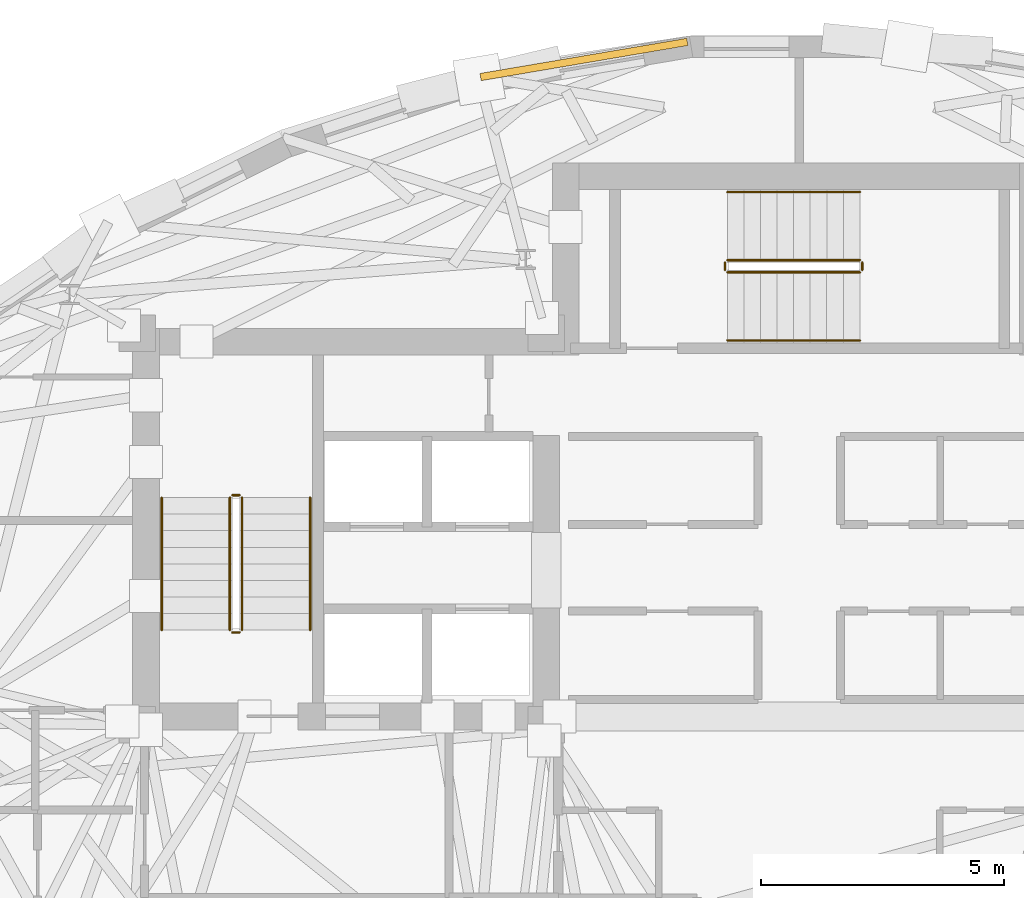
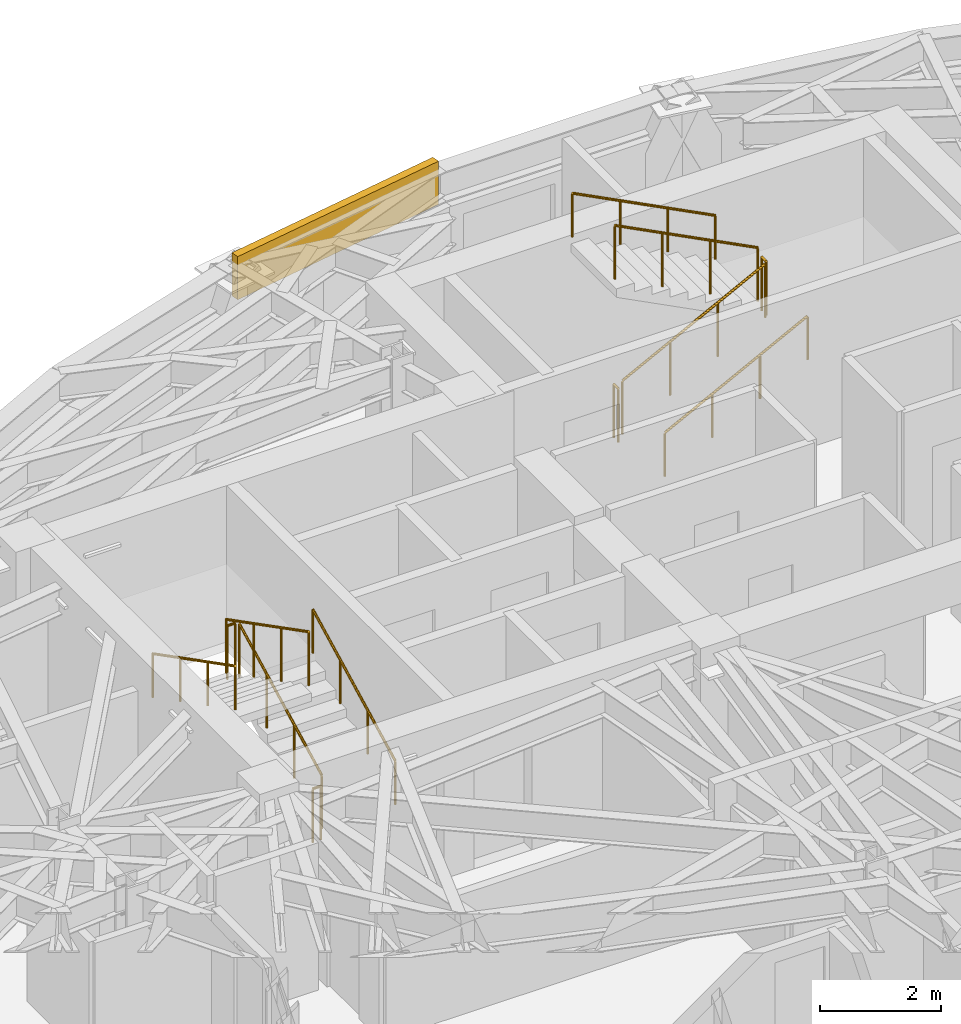
# One storey, part 13 of 14: 12 railings, 1 covering.
"""IFC4 building model written with IfcOpenShell, lengths in metres."""

from ifc_helpers import new_model, si_unit, direction, frame, origin, origin_2d, place, context, subcontext, project, spatial, rectangle, circle, extrude, material, layer, layer_set, type_object, element, save


model = new_model("IFC4")

# Units and contexts
model_context = context("Model", 3, precision=1e-05, world=origin(), true_north=direction((0.0, 1.0)))
body_context = subcontext(model_context, "Body", "Model", "MODEL_VIEW")
ifc_project = project(units=[si_unit("LENGTHUNIT", "METRE"), si_unit("AREAUNIT", "SQUARE_METRE"), si_unit("VOLUMEUNIT", "CUBIC_METRE"), si_unit("PLANEANGLEUNIT", "RADIAN"), si_unit("MASSUNIT", "GRAM", prefix="KILO")], contexts=[model_context])

# Site, building, storey
site_placement = place(None, origin())
site = spatial("IfcSite", under=ifc_project, at=site_placement, CompositionType="ELEMENT")
building_placement = place(site_placement, origin())
building = spatial("IfcBuilding", under=site, at=building_placement, Name="Keldmark Tower", CompositionType="ELEMENT")
storey_placement = place(building_placement, frame((0.0, 0.0, 222.60009765625)))
storey = spatial("IfcBuildingStorey", under=building, at=storey_placement, Name="L62", CompositionType="ELEMENT", Elevation=222.60009765625)

# Covering
ifc_material_1 = material(Name="Honed Kasota Buff Dolomitic Limestone", Category="masonry")
ifc_layer = layer(ifc_material_1, 0.074951171875)
ifc_layer_set = layer_set([ifc_layer], Name="Honed Kasota Buff Dolomitic Limestone")
covering_type = type_object("IfcCoveringType", Name="Kasota Buff Limestone Spandrel Cladding Band", PredefinedType="CLADDING", material=ifc_layer_set)
covering_placement = place(storey_placement, frame((-4.42333984375, 15.073974609375, 2.259765625), z_axis=(0.0, 0.0, 1.0), x_axis=(-0.985850128464, -0.167629126969, 0.0)))
element("IfcCovering", 1, at=covering_placement, inside=storey, type_object=covering_type, Name="L62 Kasota Limestone Spandrel Band 09", PredefinedType="CLADDING", context=body_context, shape_type="SweptSolid", body=[
    extrude(rectangle(XDim=4.308837890625, YDim=0.14990234375, at=origin_2d()), origin(), (0.0, 0.0, 1.0), 0.8701171875),
])

# Railings
ifc_material_2 = material(Name="Painted Steel ASTM A500 Grade B", Category="steel")
railing_type_1 = type_object("IfcRailingType", Name="Painted Steel Stair Well Guard 1100 mm", PredefinedType="GUARDRAIL", material=ifc_material_2)
railing_1_placement = place(storey_placement, frame((-11.449951171875, 3.35009765625, 0.1748046875)))
element("IfcRailing", 2, at=railing_1_placement, inside=storey, type_object=railing_type_1, Name="L62 ST1 stair guard 1", PredefinedType="GUARDRAIL", context=body_context, shape_type="SweptSolid", body=[
    extrude(circle(Radius=0.02392578125, at=origin_2d()), frame((0.0, 0.0, 1.076171875), z_axis=(0.0, 0.889114319608, 0.457685182924), x_axis=(-1.0, 0.0, 0.0)), (0.0, 0.0, 1.0), 3.05908203125),
    extrude(circle(Radius=0.02099609375, at=origin_2d()), origin(), (0.0, 0.0, 1.0), 1.052001953125),
    extrude(circle(Radius=0.02099609375, at=origin_2d()), frame((0.0, 0.90673828125, 0.466796875)), (0.0, 0.0, 1.0), 1.052001953125),
    extrude(circle(Radius=0.02099609375, at=origin_2d()), frame((0.0, 1.813232421875, 0.933349609375)), (0.0, 0.0, 1.0), 1.052001953125),
    extrude(circle(Radius=0.02099609375, at=origin_2d()), frame((0.0, 2.719970703125, 1.400146484375)), (0.0, 0.0, 1.0), 1.052001953125),
])
railing_2_placement = place(storey_placement, frame((-11.5, 6.1201171875, 1.574951171875)))
element("IfcRailing", 3, at=railing_2_placement, inside=storey, type_object=railing_type_1, Name="L62 ST1 stair guard 2", PredefinedType="GUARDRAIL", context=body_context, shape_type="SweptSolid", body=[
    extrude(circle(Radius=0.02392578125, at=origin_2d()), frame((0.0, 0.0, 1.076171875), z_axis=(-1.0, 0.0, 0.0), x_axis=(0.0, -1.0, 0.0)), (0.0, 0.0, 1.0), 0.14990234375),
    extrude(circle(Radius=0.02099609375, at=origin_2d()), origin(), (0.0, 0.0, 1.0), 1.052001953125),
    extrude(circle(Radius=0.02099609375, at=origin_2d()), frame((-0.14990234375, 0.0, 0.0)), (0.0, 0.0, 1.0), 1.052001953125),
])
railing_3_placement = place(storey_placement, frame((-11.699951171875, 6.070068359375, 1.75)))
element("IfcRailing", 4, at=railing_3_placement, inside=storey, type_object=railing_type_1, Name="L62 ST1 stair guard 3", PredefinedType="GUARDRAIL", context=body_context, shape_type="SweptSolid", body=[
    extrude(circle(Radius=0.02392578125, at=origin_2d()), frame((0.0, 0.0, 1.076171875), z_axis=(0.0, -0.889146794209, 0.457622091194), x_axis=(1.0, 0.0, 0.0)), (0.0, 0.0, 1.0), 3.05908203125),
    extrude(circle(Radius=0.02099609375, at=origin_2d()), origin(), (0.0, 0.0, 1.0), 1.052001953125),
    extrude(circle(Radius=0.02099609375, at=origin_2d()), frame((0.0, -0.90673828125, 0.466552734375)), (0.0, 0.0, 1.0), 1.052001953125),
    extrude(circle(Radius=0.02099609375, at=origin_2d()), frame((0.0, -1.813232421875, 0.933349609375)), (0.0, 0.0, 1.0), 1.052001953125),
    extrude(circle(Radius=0.02099609375, at=origin_2d()), frame((0.0, -2.719970703125, 1.39990234375)), (0.0, 0.0, 1.0), 1.052001953125),
])
railing_4_placement = place(storey_placement, frame((-11.5, 3.300048828125, 0.0)))
element("IfcRailing", 5, at=railing_4_placement, inside=storey, type_object=railing_type_1, Name="L62 ST1 stair guard 4", PredefinedType="GUARDRAIL", context=body_context, shape_type="SweptSolid", body=[
    extrude(circle(Radius=0.02392578125, at=origin_2d()), frame((0.0, 0.0, 1.076171875), z_axis=(-1.0, 0.0, 0.0), x_axis=(0.0, -1.0, 0.0)), (0.0, 0.0, 1.0), 0.14990234375),
    extrude(circle(Radius=0.02099609375, at=origin_2d()), origin(), (0.0, 0.0, 1.0), 1.052001953125),
    extrude(circle(Radius=0.02099609375, at=origin_2d()), frame((-0.14990234375, 0.0, 0.0)), (0.0, 0.0, 1.0), 1.052001953125),
])
railing_5_placement = place(storey_placement, frame((-1.47509765625, 10.699951171875, 0.1748046875)))
element("IfcRailing", 6, at=railing_5_placement, inside=storey, type_object=railing_type_1, Name="L62 ST3 stair guard 1", PredefinedType="GUARDRAIL", context=body_context, shape_type="SweptSolid", body=[
    extrude(circle(Radius=0.02392578125, at=origin_2d()), frame((0.0, 0.0, 1.076171875), z_axis=(0.889131035167, 0.0, 0.45765270927), x_axis=(0.0, 1.0, 0.0)), (0.0, 0.0, 1.0), 3.059326171875),
    extrude(circle(Radius=0.02099609375, at=origin_2d()), origin(), (0.0, 0.0, 1.0), 1.052001953125),
    extrude(circle(Radius=0.02099609375, at=origin_2d()), frame((0.90673828125, 0.0, 0.466796875)), (0.0, 0.0, 1.0), 1.052001953125),
    extrude(circle(Radius=0.02099609375, at=origin_2d()), frame((1.8134765625, 0.0, 0.933349609375)), (0.0, 0.0, 1.0), 1.052001953125),
    extrude(circle(Radius=0.02099609375, at=origin_2d()), frame((2.72021484375, 0.0, 1.400146484375)), (0.0, 0.0, 1.0), 1.052001953125),
])
railing_6_placement = place(storey_placement, frame((1.294921875, 10.75, 1.574951171875)))
element("IfcRailing", 7, at=railing_6_placement, inside=storey, type_object=railing_type_1, Name="L62 ST3 stair guard 2", PredefinedType="GUARDRAIL", context=body_context, shape_type="SweptSolid", body=[
    extrude(circle(Radius=0.02392578125, at=origin_2d()), frame((0.0, 0.0, 1.076171875), z_axis=(0.0, 1.0, 0.0), x_axis=(-1.0, 0.0, 0.0)), (0.0, 0.0, 1.0), 0.14990234375),
    extrude(circle(Radius=0.02099609375, at=origin_2d()), origin(), (0.0, 0.0, 1.0), 1.052001953125),
    extrude(circle(Radius=0.02099609375, at=origin_2d()), frame((0.0, 0.14990234375, 0.0)), (0.0, 0.0, 1.0), 1.052001953125),
])
railing_7_placement = place(storey_placement, frame((1.2451171875, 10.949951171875, 1.75)))
element("IfcRailing", 8, at=railing_7_placement, inside=storey, type_object=railing_type_1, Name="L62 ST3 stair guard 3", PredefinedType="GUARDRAIL", context=body_context, shape_type="SweptSolid", body=[
    extrude(circle(Radius=0.02392578125, at=origin_2d()), frame((0.0, 0.0, 1.076171875), z_axis=(-0.88916350577, 0.0, 0.457589619645), x_axis=(0.0, -1.0, 0.0)), (0.0, 0.0, 1.0), 3.059326171875),
    extrude(circle(Radius=0.02099609375, at=origin_2d()), origin(), (0.0, 0.0, 1.0), 1.052001953125),
    extrude(circle(Radius=0.02099609375, at=origin_2d()), frame((-0.90673828125, 0.0, 0.466552734375)), (0.0, 0.0, 1.0), 1.052001953125),
    extrude(circle(Radius=0.02099609375, at=origin_2d()), frame((-1.8134765625, 0.0, 0.933349609375)), (0.0, 0.0, 1.0), 1.052001953125),
    extrude(circle(Radius=0.02099609375, at=origin_2d()), frame((-2.72021484375, 0.0, 1.39990234375)), (0.0, 0.0, 1.0), 1.052001953125),
])
railing_8_placement = place(storey_placement, frame((-1.52490234375, 10.75, 0.0)))
element("IfcRailing", 9, at=railing_8_placement, inside=storey, type_object=railing_type_1, Name="L62 ST3 stair guard 4", PredefinedType="GUARDRAIL", context=body_context, shape_type="SweptSolid", body=[
    extrude(circle(Radius=0.02392578125, at=origin_2d()), frame((0.0, 0.0, 1.076171875), z_axis=(0.0, 1.0, 0.0), x_axis=(-1.0, 0.0, 0.0)), (0.0, 0.0, 1.0), 0.14990234375),
    extrude(circle(Radius=0.02099609375, at=origin_2d()), origin(), (0.0, 0.0, 1.0), 1.052001953125),
    extrude(circle(Radius=0.02099609375, at=origin_2d()), frame((0.0, 0.14990234375, 0.0)), (0.0, 0.0, 1.0), 1.052001953125),
])
ifc_material_3 = material(Name="Stainless Steel AISI 316L", Category="steel")
railing_type_2 = type_object("IfcRailingType", Name="Stainless Steel Stair Handrail 900 mm", PredefinedType="HANDRAIL", material=ifc_material_3)
railing_9_placement = place(storey_placement, frame((-10.050048828125, 3.35009765625, 0.1748046875)))
element("IfcRailing", 10, at=railing_9_placement, inside=storey, type_object=railing_type_2, Name="L62 ST1 stair handrail 1", PredefinedType="HANDRAIL", context=body_context, shape_type="SweptSolid", body=[
    extrude(circle(Radius=0.02392578125, at=origin_2d()), frame((0.0, 0.0, 0.8759765625), z_axis=(0.0, 0.889114319608, 0.457685182924), x_axis=(-1.0, 0.0, 0.0)), (0.0, 0.0, 1.0), 3.05908203125),
    extrude(circle(Radius=0.02099609375, at=origin_2d()), origin(), (0.0, 0.0, 1.0), 0.851806640625),
    extrude(circle(Radius=0.02099609375, at=origin_2d()), frame((0.0, 0.90673828125, 0.466796875)), (0.0, 0.0, 1.0), 0.851806640625),
    extrude(circle(Radius=0.02099609375, at=origin_2d()), frame((0.0, 1.813232421875, 0.933349609375)), (0.0, 0.0, 1.0), 0.851806640625),
    extrude(circle(Radius=0.02099609375, at=origin_2d()), frame((0.0, 2.719970703125, 1.400146484375)), (0.0, 0.0, 1.0), 0.851806640625),
])
railing_10_placement = place(storey_placement, frame((-13.10009765625, 6.070068359375, 1.75)))
element("IfcRailing", 11, at=railing_10_placement, inside=storey, type_object=railing_type_2, Name="L62 ST1 stair handrail 2", PredefinedType="HANDRAIL", context=body_context, shape_type="SweptSolid", body=[
    extrude(circle(Radius=0.02392578125, at=origin_2d()), frame((0.0, 0.0, 0.8759765625), z_axis=(0.0, -0.889146794209, 0.457622091194), x_axis=(1.0, 0.0, 0.0)), (0.0, 0.0, 1.0), 3.05908203125),
    extrude(circle(Radius=0.02099609375, at=origin_2d()), origin(), (0.0, 0.0, 1.0), 0.851806640625),
    extrude(circle(Radius=0.02099609375, at=origin_2d()), frame((0.0, -0.90673828125, 0.466552734375)), (0.0, 0.0, 1.0), 0.851806640625),
    extrude(circle(Radius=0.02099609375, at=origin_2d()), frame((0.0, -1.813232421875, 0.933349609375)), (0.0, 0.0, 1.0), 0.851806640625),
    extrude(circle(Radius=0.02099609375, at=origin_2d()), frame((0.0, -2.719970703125, 1.39990234375)), (0.0, 0.0, 1.0), 0.851806640625),
])
railing_11_placement = place(storey_placement, frame((-1.47509765625, 9.300048828125, 0.1748046875)))
element("IfcRailing", 12, at=railing_11_placement, inside=storey, type_object=railing_type_2, Name="L62 ST3 stair handrail 1", PredefinedType="HANDRAIL", context=body_context, shape_type="SweptSolid", body=[
    extrude(circle(Radius=0.02392578125, at=origin_2d()), frame((0.0, 0.0, 0.8759765625), z_axis=(0.889131035167, 0.0, 0.45765270927), x_axis=(0.0, 1.0, 0.0)), (0.0, 0.0, 1.0), 3.059326171875),
    extrude(circle(Radius=0.02099609375, at=origin_2d()), origin(), (0.0, 0.0, 1.0), 0.851806640625),
    extrude(circle(Radius=0.02099609375, at=origin_2d()), frame((0.90673828125, 0.0, 0.466796875)), (0.0, 0.0, 1.0), 0.851806640625),
    extrude(circle(Radius=0.02099609375, at=origin_2d()), frame((1.8134765625, 0.0, 0.933349609375)), (0.0, 0.0, 1.0), 0.851806640625),
    extrude(circle(Radius=0.02099609375, at=origin_2d()), frame((2.72021484375, 0.0, 1.400146484375)), (0.0, 0.0, 1.0), 0.851806640625),
])
railing_12_placement = place(storey_placement, frame((1.2451171875, 12.35009765625, 1.75)))
element("IfcRailing", 13, at=railing_12_placement, inside=storey, type_object=railing_type_2, Name="L62 ST3 stair handrail 2", PredefinedType="HANDRAIL", context=body_context, shape_type="SweptSolid", body=[
    extrude(circle(Radius=0.02392578125, at=origin_2d()), frame((0.0, 0.0, 0.8759765625), z_axis=(-0.88916350577, 0.0, 0.457589619645), x_axis=(0.0, -1.0, 0.0)), (0.0, 0.0, 1.0), 3.059326171875),
    extrude(circle(Radius=0.02099609375, at=origin_2d()), origin(), (0.0, 0.0, 1.0), 0.851806640625),
    extrude(circle(Radius=0.02099609375, at=origin_2d()), frame((-0.90673828125, 0.0, 0.466552734375)), (0.0, 0.0, 1.0), 0.851806640625),
    extrude(circle(Radius=0.02099609375, at=origin_2d()), frame((-1.8134765625, 0.0, 0.933349609375)), (0.0, 0.0, 1.0), 0.851806640625),
    extrude(circle(Radius=0.02099609375, at=origin_2d()), frame((-2.72021484375, 0.0, 1.39990234375)), (0.0, 0.0, 1.0), 0.851806640625),
])

save(model, "model.ifc")
